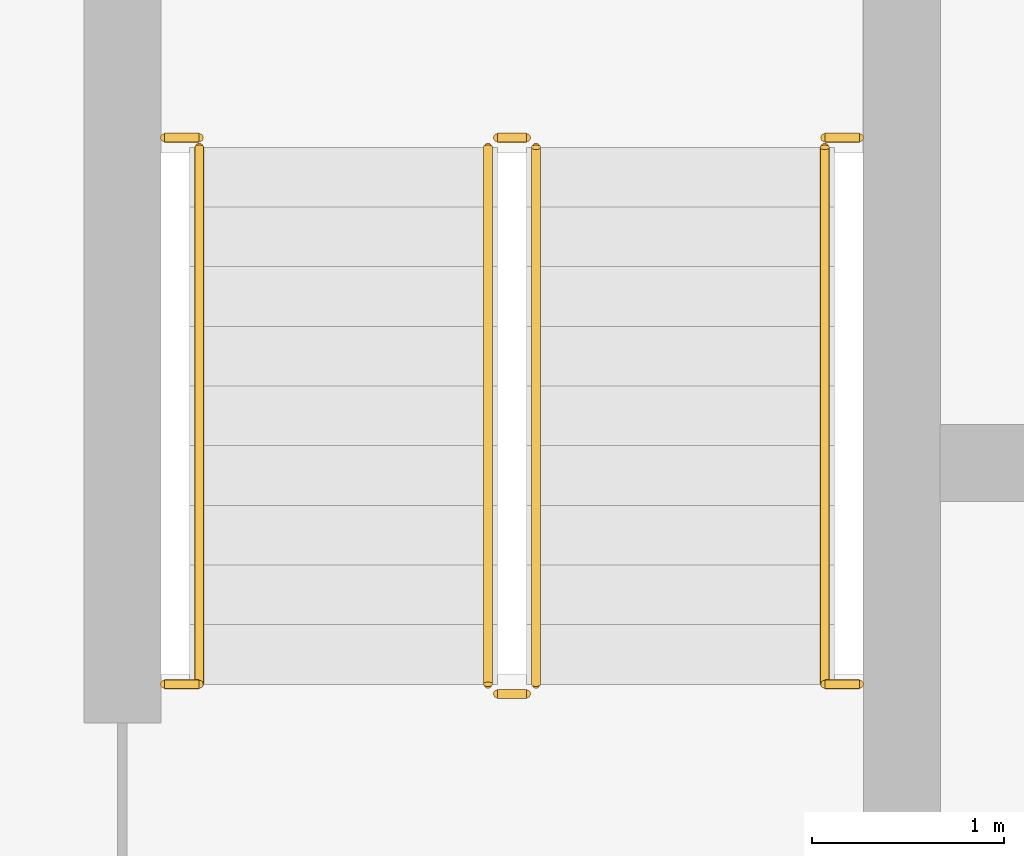
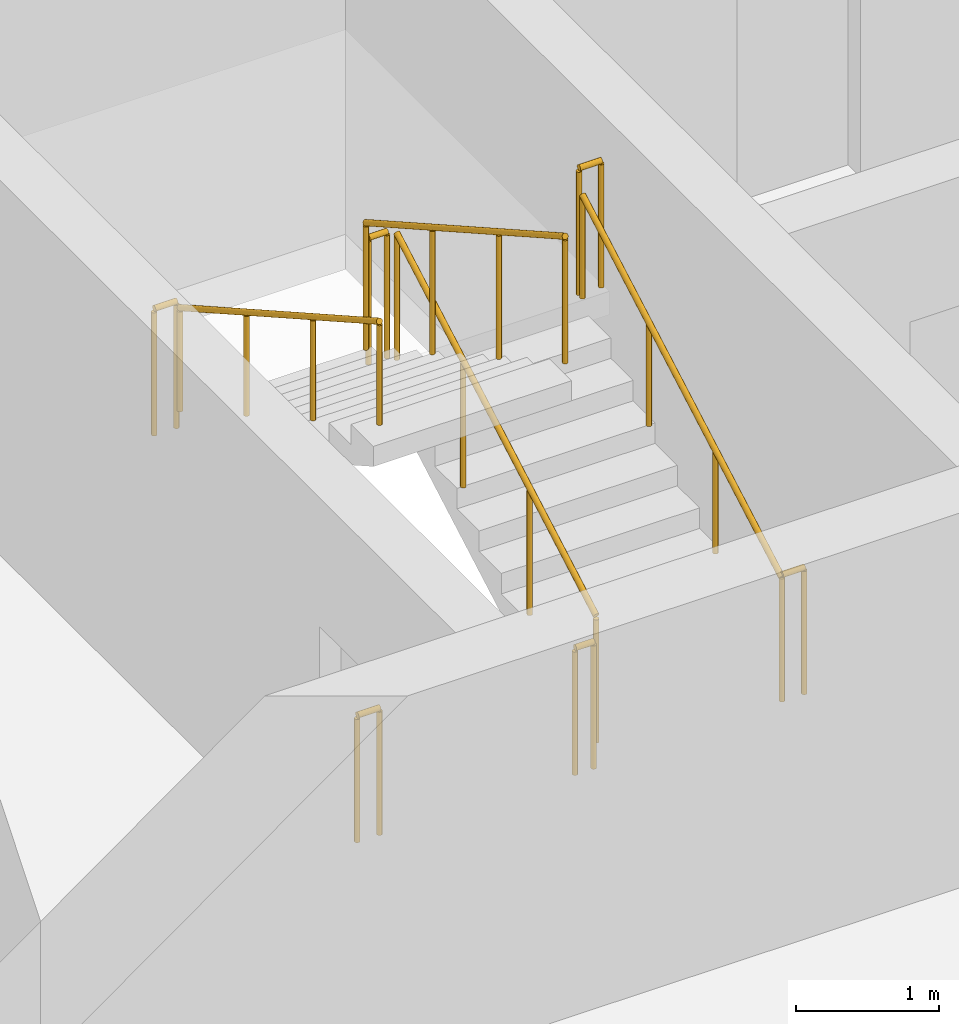
# One storey, part 18 of 22: 10 railings.
"""IFC4 building model written with IfcOpenShell, lengths in metres."""

import ifcopenshell
import ifcopenshell.guid

model = None  # the IFC model being written
_history = None  # IfcOwnerHistory: only IFC2X3 demands one
_inside = {}  # id of a spatial element -> (the spatial element, [elements in it])
_under = {}  # id of a project, library or spatial element -> (it, [spatial elements below it])
_declared = {}  # id of a project -> (the project, [libraries it declares])
_typed = {}  # id of a type object -> (the type object, [elements of that type])
_made_of = {}  # id of a material, layer set ... -> (it, [elements and type objects made of it])


def new_model(schema):
    """Start an empty IFC model of exactly this schema.

    Asked for "IFC4X3", IfcOpenShell would pick the latest addendum, in which some entities
    have other attributes; the version numbers below select the first issue.
    IFC2X3 requires an IfcOwnerHistory on every rooted entity: one is made here for all.
    """
    global model, _history
    if schema == "IFC4X3":
        model = ifcopenshell.file(schema_version=(4, 3, 0, 0))
    else:
        model = ifcopenshell.file(schema=schema)
    _inside.clear()
    _under.clear()
    _declared.clear()
    _typed.clear()
    _made_of.clear()
    _history = None
    if model.schema == "IFC2X3":
        org = make("IfcOrganization", Name="unknown")
        user = make(
            "IfcPersonAndOrganization",
            ThePerson=make("IfcPerson", FamilyName="unknown"),
            TheOrganization=org,
        )
        app = make(
            "IfcApplication",
            ApplicationDeveloper=org,
            Version="unknown",
            ApplicationFullName="unknown",
            ApplicationIdentifier="unknown",
        )
        _history = make(
            "IfcOwnerHistory",
            OwningUser=user,
            OwningApplication=app,
            ChangeAction="ADDED",
            CreationDate=0,
        )
    return model


def make(cls, **values):
    """One entity of the class cls with the attributes given. An attribute that is None is left unset."""
    return model.create_entity(
        cls, **{name: value for name, value in values.items() if value is not None}
    )


def rooted(cls, **values):
    """An entity with a GlobalId (a new one), such as an element, a storey or a relation."""
    return make(cls, GlobalId=ifcopenshell.guid.new(), OwnerHistory=_history, **values)


def si_unit(unit_type, name, prefix=None):
    """IfcSIUnit, for example si_unit("LENGTHUNIT", "METRE", prefix="MILLI")."""
    return make("IfcSIUnit", UnitType=unit_type, Prefix=prefix, Name=name)


def assignment(units):
    """IfcUnitAssignment: the units of a project."""
    return None if units is None else make("IfcUnitAssignment", Units=units)


def point(xyz):
    """IfcCartesianPoint."""
    return None if xyz is None else make("IfcCartesianPoint", Coordinates=xyz)


def direction(xyz):
    """IfcDirection."""
    return None if xyz is None else make("IfcDirection", DirectionRatios=xyz)


def frame(location, z_axis=None, x_axis=None):
    """IfcAxis2Placement3D, a coordinate frame: its origin and axes. An axis left out is left unset."""
    return make(
        "IfcAxis2Placement3D",
        Location=point(location),
        Axis=direction(z_axis),
        RefDirection=direction(x_axis),
    )


def frame_2d(location, x_axis=None):
    """IfcAxis2Placement2D, a coordinate frame in the plane: its origin and x axis."""
    return make(
        "IfcAxis2Placement2D", Location=point(location), RefDirection=direction(x_axis)
    )


def origin():
    """The frame at (0, 0, 0) with its axes left unset."""
    return frame((0.0, 0.0, 0.0))


def origin_2d():
    """The frame at (0, 0) in the plane with its x axis left unset."""
    return frame_2d((0.0, 0.0))


def place(relative_to, where):
    """IfcLocalPlacement: puts the frame where relative to a parent placement (None: the world)."""
    return make(
        "IfcLocalPlacement", PlacementRelTo=relative_to, RelativePlacement=where
    )


def context(
    kind, dimensions, precision=None, world=None, true_north=None, identifier=None
):
    """IfcGeometricRepresentationContext, for example the 3D "Model" context."""
    return make(
        "IfcGeometricRepresentationContext",
        ContextIdentifier=identifier,
        ContextType=kind,
        CoordinateSpaceDimension=dimensions,
        Precision=precision,
        WorldCoordinateSystem=world,
        TrueNorth=true_north,
    )


def subcontext(parent, identifier, kind, view, scale=None):
    """IfcGeometricRepresentationSubContext, for example "Body" below "Model"."""
    return make(
        "IfcGeometricRepresentationSubContext",
        ContextIdentifier=identifier,
        ContextType=kind,
        ParentContext=parent,
        TargetScale=scale,
        TargetView=view,
    )


def project(units=None, contexts=None):
    """IfcProject with its units and contexts."""
    return rooted(
        "IfcProject",
        Name="project",
        RepresentationContexts=contexts,
        UnitsInContext=assignment(units),
    )


def spatial(cls, under=None, at=None, **own):
    """A site, building, storey or space (cls), placed at a placement, below another one or the project."""
    s = rooted(cls, ObjectPlacement=at, **own)
    if under is not None:
        _under.setdefault(under.id(), (under, []))[1].append(s)
    return s


def profile(cls, at=None, kind="AREA", **sizes):
    """A parametric profile (cls). Its sizes go by their IFC names, for example OverallWidth=200.0."""
    return make(cls, ProfileType=kind, Position=at, **sizes)


def circle(**sizes):
    """IfcCircleProfileDef."""
    return profile("IfcCircleProfileDef", **sizes)


def extrude(swept, where, along, depth):
    """IfcExtrudedAreaSolid: the profile swept, set in the frame where, extruded along a direction by depth."""
    return make(
        "IfcExtrudedAreaSolid",
        SweptArea=swept,
        Position=where,
        ExtrudedDirection=direction(along),
        Depth=depth,
    )


def shape(context_of_items, identifier, shape_type, items):
    """IfcShapeRepresentation: the items that make up one representation, for example the "Body"."""
    return make(
        "IfcShapeRepresentation",
        ContextOfItems=context_of_items,
        RepresentationIdentifier=identifier,
        RepresentationType=shape_type,
        Items=items,
    )


def material(Name=None, Category=None):
    """IfcMaterial."""
    return make("IfcMaterial", Name=Name, Category=Category)


def made_of(thing, what):
    """Note that an element or type object is made of a material, layer set ...; save() writes the relation."""
    if what is not None:
        _made_of.setdefault(what.id(), (what, []))[1].append(thing)
    return thing


def type_object(cls, material=None, **own):
    """A type object (cls), such as IfcWallType, which elements share."""
    return made_of(rooted(cls, **own), material)


def element(
    cls,
    number,
    at=None,
    inside=None,
    cuts=None,
    type_object=None,
    material=None,
    context=None,
    identifier="Body",
    shape_type=None,
    held_by="IfcProductDefinitionShape",
    body=None,
    shapes=None,
    **own,
):
    """One element of the class cls, such as IfcWall. Its Tag is "e" and its number.

    at: its placement. inside: the storey or other place that contains it. cuts: it is an
    opening in that element (IfcRelVoidsElement). A single representation is given by context,
    identifier, shape_type and body (its items); several are given by shapes. held_by: the class
    of the entity that holds the representations. save() writes the other relations.
    """
    e = rooted(cls, Tag="e%d" % number, ObjectPlacement=at, **own)
    if body is not None:
        shapes = [shape(context, identifier, shape_type, body)]
    if shapes is not None:
        e.Representation = make(held_by, Representations=shapes)
    if inside is not None:
        _inside.setdefault(inside.id(), (inside, []))[1].append(e)
    if cuts is not None:
        rooted(
            "IfcRelVoidsElement", RelatingBuildingElement=cuts, RelatedOpeningElement=e
        )
    if type_object is not None:
        _typed.setdefault(type_object.id(), (type_object, []))[1].append(e)
    return made_of(e, material)


def aggregate(whole, parts):
    """IfcRelAggregates: a whole, such as a stair, and the parts it consists of."""
    return rooted("IfcRelAggregates", RelatingObject=whole, RelatedObjects=parts)


def save(model, path):
    """Write the relations noted so far, then the file.

    IfcRelAggregates (storeys below a building ...), IfcRelContainedInSpatialStructure (elements
    in a storey), IfcRelDefinesByType, IfcRelAssociatesMaterial and IfcRelDeclares: one each for
    every whole, place, type object, material and project.
    """
    for whole, parts in _under.values():
        aggregate(whole, parts)
    for where, things in _inside.values():
        rooted(
            "IfcRelContainedInSpatialStructure",
            RelatedElements=things,
            RelatingStructure=where,
        )
    for kind, things in _typed.values():
        rooted("IfcRelDefinesByType", RelatedObjects=things, RelatingType=kind)
    for what, things in _made_of.values():
        rooted("IfcRelAssociatesMaterial", RelatedObjects=things, RelatingMaterial=what)
    for by, libraries in _declared.values():
        rooted("IfcRelDeclares", RelatingContext=by, RelatedDefinitions=libraries)
    model.write(path)


model = new_model("IFC4")

# Units and contexts
model_context = context("Model", 3, precision=1e-05, world=origin(), true_north=direction((0.0, 1.0)))
body_context = subcontext(model_context, "Body", "Model", "MODEL_VIEW")
ifc_project = project(units=[si_unit("LENGTHUNIT", "METRE"), si_unit("AREAUNIT", "SQUARE_METRE"), si_unit("VOLUMEUNIT", "CUBIC_METRE"), si_unit("PLANEANGLEUNIT", "RADIAN"), si_unit("MASSUNIT", "GRAM", prefix="KILO")], contexts=[model_context])

# Site, building, storey
site_placement = place(None, origin())
site = spatial("IfcSite", under=ifc_project, at=site_placement, CompositionType="ELEMENT")
building_placement = place(site_placement, origin())
building = spatial("IfcBuilding", under=site, at=building_placement, Name="Madar Terraces", CompositionType="ELEMENT")
storey_placement = place(building_placement, frame((0.0, 0.0, 282.60009765625)))
storey = spatial("IfcBuildingStorey", under=building, at=storey_placement, Name="L74", CompositionType="ELEMENT", Elevation=282.60009765625)

# Railings
ifc_material_1 = material(Name="Stainless steel railing", Category="steel")
railing_type_1 = type_object("IfcRailingType", Name="Stair guard 1100", PredefinedType="GUARDRAIL", material=ifc_material_1)
railing_1_placement = place(storey_placement, frame((21.199951171875, 17.60009765625, 0.1748046875)))
element("IfcRailing", 1, at=railing_1_placement, inside=storey, type_object=railing_type_1, Name="L74 ST1 stair guard 1", PredefinedType="GUARDRAIL", context=body_context, shape_type="SweptSolid", body=[
    extrude(circle(Radius=0.02392578125, at=origin_2d()), frame((0.0, 0.0, 1.076171875), z_axis=(0.0, 0.870782738816, 0.491667999549), x_axis=(-1.0, 0.0, 0.0)), (0.0, 0.0, 1.0), 3.203857421875),
    extrude(circle(Radius=0.02099609375, at=origin_2d()), origin(), (0.0, 0.0, 1.0), 1.052001953125),
    extrude(circle(Radius=0.02099609375, at=origin_2d()), frame((0.0, 0.929931640625, 0.525146484375)), (0.0, 0.0, 1.0), 1.052001953125),
    extrude(circle(Radius=0.02099609375, at=origin_2d()), frame((0.0, 1.85986328125, 1.050048828125)), (0.0, 0.0, 1.0), 1.052001953125),
    extrude(circle(Radius=0.02099609375, at=origin_2d()), frame((0.0, 2.789794921875, 1.5751953125)), (0.0, 0.0, 1.0), 1.052001953125),
])
railing_2_placement = place(storey_placement, frame((21.14990234375, 20.43994140625, 1.75)))
element("IfcRailing", 2, at=railing_2_placement, inside=storey, type_object=railing_type_1, Name="L74 ST1 stair guard 2", PredefinedType="GUARDRAIL", context=body_context, shape_type="SweptSolid", body=[
    extrude(circle(Radius=0.02392578125, at=origin_2d()), frame((0.0, 0.0, 1.076171875), z_axis=(-1.0, 0.0, 0.0), x_axis=(0.0, -1.0, 0.0)), (0.0, 0.0, 1.0), 0.14990234375),
    extrude(circle(Radius=0.02099609375, at=origin_2d()), origin(), (0.0, 0.0, 1.0), 1.052001953125),
    extrude(circle(Radius=0.02099609375, at=origin_2d()), frame((-0.14990234375, 0.0, 0.0)), (0.0, 0.0, 1.0), 1.052001953125),
])
railing_3_placement = place(storey_placement, frame((20.949951171875, 20.389892578125, 1.9248046875)))
element("IfcRailing", 3, at=railing_3_placement, inside=storey, type_object=railing_type_1, Name="L74 ST1 stair guard 3", PredefinedType="GUARDRAIL", context=body_context, shape_type="SweptSolid", body=[
    extrude(circle(Radius=0.02392578125, at=origin_2d()), frame((0.0, 0.0, 1.076171875), z_axis=(0.0, -0.870782738816, 0.491667999549), x_axis=(1.0, 0.0, 0.0)), (0.0, 0.0, 1.0), 3.203857421875),
    extrude(circle(Radius=0.02099609375, at=origin_2d()), origin(), (0.0, 0.0, 1.0), 1.052001953125),
    extrude(circle(Radius=0.02099609375, at=origin_2d()), frame((0.0, -0.929931640625, 0.525146484375)), (0.0, 0.0, 1.0), 1.052001953125),
    extrude(circle(Radius=0.02099609375, at=origin_2d()), frame((0.0, -1.85986328125, 1.050048828125)), (0.0, 0.0, 1.0), 1.052001953125),
    extrude(circle(Radius=0.02099609375, at=origin_2d()), frame((0.0, -2.789794921875, 1.5751953125)), (0.0, 0.0, 1.0), 1.052001953125),
])
railing_4_placement = place(storey_placement, frame((21.14990234375, 17.550048828125, 0.0)))
element("IfcRailing", 4, at=railing_4_placement, inside=storey, type_object=railing_type_1, Name="L74 ST1 stair guard 4", PredefinedType="GUARDRAIL", context=body_context, shape_type="SweptSolid", body=[
    extrude(circle(Radius=0.02392578125, at=origin_2d()), frame((0.0, 0.0, 1.076171875), z_axis=(-1.0, 0.0, 0.0), x_axis=(0.0, -1.0, 0.0)), (0.0, 0.0, 1.0), 0.14990234375),
    extrude(circle(Radius=0.02099609375, at=origin_2d()), origin(), (0.0, 0.0, 1.0), 1.052001953125),
    extrude(circle(Radius=0.02099609375, at=origin_2d()), frame((-0.14990234375, 0.0, 0.0)), (0.0, 0.0, 1.0), 1.052001953125),
])
for number, where, name in (
    (5, (19.27001953125, 20.43994140625, 1.75), "L74 stair guard seat 1"),
    (6, (22.699951171875, 20.43994140625, 1.75), "L74 stair guard seat 2"),
    (7, (19.27001953125, 17.60009765625, 0.0), "L74 stair guard floor 1"),
    (8, (22.699951171875, 17.60009765625, 0.0), "L74 stair guard floor 2"),
):
    element("IfcRailing", number, at=place(storey_placement, frame(where)), inside=storey, type_object=railing_type_1, Name=name, PredefinedType="GUARDRAIL", context=body_context, shape_type="SweptSolid", body=[
        extrude(circle(Radius=0.02392578125, at=origin_2d()), frame((0.0, 0.0, 1.076171875), z_axis=(1.0, 0.0, 0.0), x_axis=(0.0, 1.0, 0.0)), (0.0, 0.0, 1.0), 0.179931640625),
        extrude(circle(Radius=0.02099609375, at=origin_2d()), origin(), (0.0, 0.0, 1.0), 1.052001953125),
        extrude(circle(Radius=0.02099609375, at=origin_2d()), frame((0.179931640625, 0.0, 0.0)), (0.0, 0.0, 1.0), 1.052001953125),
    ])
ifc_material_2 = material(Name="Stainless steel railing", Category="steel")
railing_type_2 = type_object("IfcRailingType", Name="Stair handrail 900", PredefinedType="HANDRAIL", material=ifc_material_2)
railing_5_placement = place(storey_placement, frame((22.699951171875, 17.60009765625, 0.1748046875)))
element("IfcRailing", 9, at=railing_5_placement, inside=storey, type_object=railing_type_2, Name="L74 ST1 stair handrail 1", PredefinedType="HANDRAIL", context=body_context, shape_type="SweptSolid", body=[
    extrude(circle(Radius=0.02392578125, at=origin_2d()), frame((0.0, 0.0, 0.8759765625), z_axis=(0.0, 0.870782738816, 0.491667999549), x_axis=(-1.0, 0.0, 0.0)), (0.0, 0.0, 1.0), 3.203857421875),
    extrude(circle(Radius=0.02099609375, at=origin_2d()), origin(), (0.0, 0.0, 1.0), 0.851806640625),
    extrude(circle(Radius=0.02099609375, at=origin_2d()), frame((0.0, 0.929931640625, 0.525146484375)), (0.0, 0.0, 1.0), 0.851806640625),
    extrude(circle(Radius=0.02099609375, at=origin_2d()), frame((0.0, 1.85986328125, 1.050048828125)), (0.0, 0.0, 1.0), 0.851806640625),
    extrude(circle(Radius=0.02099609375, at=origin_2d()), frame((0.0, 2.789794921875, 1.5751953125)), (0.0, 0.0, 1.0), 0.851806640625),
])
railing_6_placement = place(storey_placement, frame((19.449951171875, 20.389892578125, 1.9248046875)))
element("IfcRailing", 10, at=railing_6_placement, inside=storey, type_object=railing_type_2, Name="L74 ST1 stair handrail 2", PredefinedType="HANDRAIL", context=body_context, shape_type="SweptSolid", body=[
    extrude(circle(Radius=0.02392578125, at=origin_2d()), frame((0.0, 0.0, 0.8759765625), z_axis=(0.0, -0.870782738816, 0.491667999549), x_axis=(1.0, 0.0, 0.0)), (0.0, 0.0, 1.0), 3.203857421875),
    extrude(circle(Radius=0.02099609375, at=origin_2d()), origin(), (0.0, 0.0, 1.0), 0.851806640625),
    extrude(circle(Radius=0.02099609375, at=origin_2d()), frame((0.0, -0.929931640625, 0.525146484375)), (0.0, 0.0, 1.0), 0.851806640625),
    extrude(circle(Radius=0.02099609375, at=origin_2d()), frame((0.0, -1.85986328125, 1.050048828125)), (0.0, 0.0, 1.0), 0.851806640625),
    extrude(circle(Radius=0.02099609375, at=origin_2d()), frame((0.0, -2.789794921875, 1.5751953125)), (0.0, 0.0, 1.0), 0.851806640625),
])

save(model, "model.ifc")
